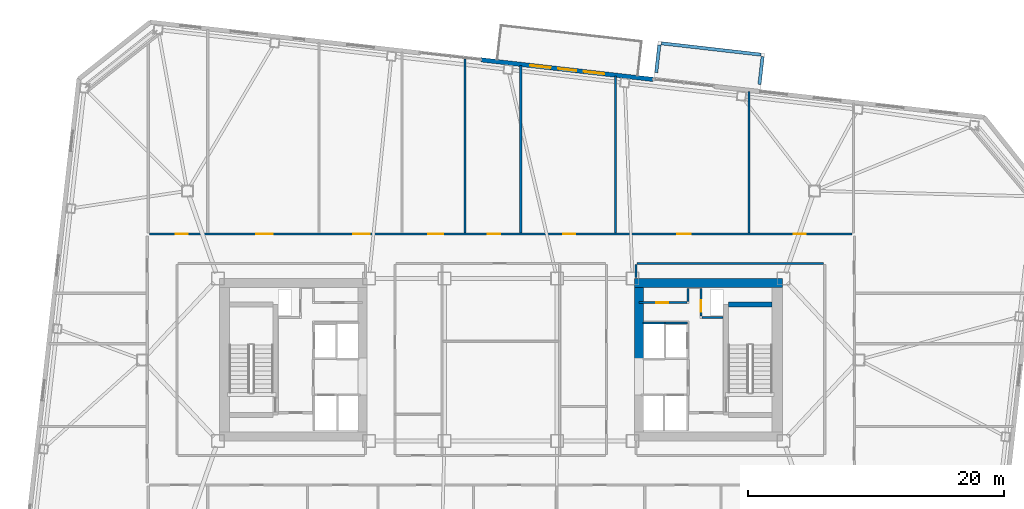
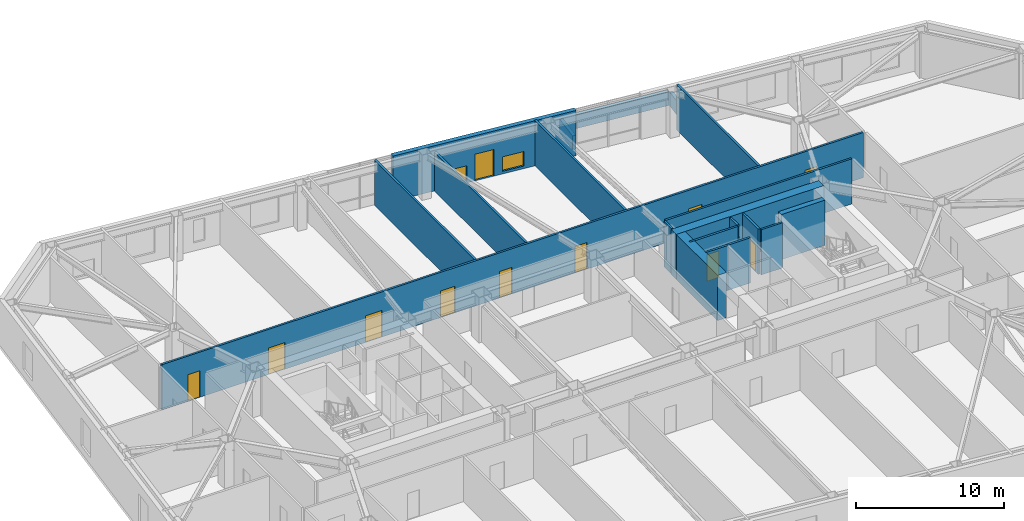
# One storey, part 14 of 21: 20 walls, 11 doors, 2 windows, 13 openings.
"""IFC4 building model written with IfcOpenShell, lengths in metres."""

from ifc_helpers import new_model, si_unit, direction, frame, frame_2d, origin, place, context, subcontext, project, spatial, rectangle, extrude, material, layer, layer_set, type_object, element, fill, save


model = new_model("IFC4")

# Units and contexts
model_context = context("Model", 3, precision=1e-05, world=origin(), true_north=direction((0.0, 1.0)))
body_context = subcontext(model_context, "Body", "Model", "MODEL_VIEW")
ifc_project = project(units=[si_unit("LENGTHUNIT", "METRE"), si_unit("AREAUNIT", "SQUARE_METRE"), si_unit("VOLUMEUNIT", "CUBIC_METRE"), si_unit("PLANEANGLEUNIT", "RADIAN"), si_unit("MASSUNIT", "GRAM", prefix="KILO")], contexts=[model_context])

# Site, building, storey
site_placement = place(None, origin())
site = spatial("IfcSite", under=ifc_project, at=site_placement, CompositionType="ELEMENT")
building_placement = place(site_placement, origin())
building = spatial("IfcBuilding", under=site, at=building_placement, Name="Tavrogorsk Clinical Tower", CompositionType="ELEMENT")
storey_placement = place(building_placement, frame((0.0, 0.0, 125.39990234375)))
storey = spatial("IfcBuildingStorey", under=building, at=storey_placement, Name="L28", CompositionType="ELEMENT", Elevation=125.39990234375)

# Wall, opening, door
ifc_material_1 = material(Name="Lightweight concrete blockwork B15", Category="masonry")
ifc_layer_1 = layer(ifc_material_1, 0.159912109375)
ifc_layer_set_1 = layer_set([ifc_layer_1], Name="Lightweight concrete blockwork B15")
wall_type_1 = type_object("IfcWallType", Name="PartitionWall_160", PredefinedType="PARTITIONING", material=ifc_layer_set_1)
wall_1_placement = place(storey_placement, frame((10.800048828125, 4.4599609375, 0.0), z_axis=(0.0, 0.0, 1.0), x_axis=(1.0, 0.0, 0.0)))
wall_1 = element("IfcWall", 1, at=wall_1_placement, inside=storey, type_object=wall_type_1, Name="L28 Core East Pneumatic Dispatch South Wall", PredefinedType="PARTITIONING", context=body_context, shape_type="SweptSolid", body=[
    extrude(rectangle(XDim=3.7548828125, YDim=0.159912109375, at=frame_2d((1.87744140625, 0.0))), origin(), (0.0, 0.0, 1.0), 3.739990234375),
])
opening_1_placement = place(wall_1_placement, frame((1.35009765625, 0.0, 0.0)))
opening_1 = element("IfcOpeningElement", 2, at=opening_1_placement, cuts=wall_1, Name="Opening ID-02", PredefinedType="OPENING", context=body_context, shape_type="SweptSolid", body=[
    extrude(rectangle(XDim=0.949951171875, YDim=2.199951171875, at=frame_2d((0.47509765625, 1.10009765625))), frame((0.0, 0.08984375, 0.0), z_axis=(0.0, -1.0, 0.0), x_axis=(1.0, 0.0, 0.0)), (0.0, 0.0, 1.0), 0.179931640625),
])
ifc_material_2 = material(Name="Laminated timber leaf on aluminium frame", Category="wood")
door_type_1 = type_object("IfcDoorType", Name="InteriorDoor_ID02_950", OperationType="NOTDEFINED", PredefinedType="DOOR", material=ifc_material_2)
door_1_placement = place(opening_1_placement, origin())
door_1 = element("IfcDoor", 3, at=door_1_placement, inside=storey, type_object=door_type_1, Name="L28 Core East Pneumatic Dispatch Door", OperationType="SINGLE_SWING_LEFT", OverallHeight=2.199951171875, OverallWidth=0.949951171875, PredefinedType="DOOR", context=body_context, shape_type="SweptSolid", body=[
    extrude(rectangle(XDim=0.949951171875, YDim=2.199951171875, at=frame_2d((0.47509765625, 1.10009765625))), frame((0.0, 0.02490234375, 0.0), z_axis=(0.0, -1.0, 0.0), x_axis=(1.0, 0.0, 0.0)), (0.0, 0.0, 1.0), 0.050048828125),
])
fill(opening_1, door_1)

# Wall
wall_2_placement = place(storey_placement, frame((14.639892578125, 4.544921875, 0.0), z_axis=(0.0, 0.0, 1.0), x_axis=(0.0, 1.0, 0.0)))
element("IfcWall", 4, at=wall_2_placement, inside=storey, type_object=wall_type_1, Name="L28 Core East Pneumatic Dispatch East Wall", PredefinedType="PARTITIONING", context=body_context, shape_type="SweptSolid", body=[
    extrude(rectangle(XDim=1.01513671875, YDim=0.159912109375, at=frame_2d((0.507568359375, 0.0))), origin(), (0.0, 0.0, 1.0), 3.739990234375),
])

# Wall, openings, doors
wall_3_placement = place(storey_placement, frame((-27.465087890625, 9.830078125, 0.0), z_axis=(0.0, 0.0, 1.0), x_axis=(1.0, 0.0, 0.0)))
wall_3 = element("IfcWall", 5, at=wall_3_placement, inside=storey, type_object=wall_type_1, Name="L28 Corridor Partition 02", PredefinedType="PARTITIONING", context=body_context, shape_type="SweptSolid", body=[
    extrude(rectangle(XDim=54.93017578125, YDim=0.159912109375, at=frame_2d((27.465087890625, 0.0))), origin(), (0.0, 0.0, 1.0), 3.739990234375),
])
opening_2_placement = place(wall_3_placement, frame((2.044189453125, 0.0, 0.0)))
opening_2 = element("IfcOpeningElement", 6, at=opening_2_placement, cuts=wall_3, Name="Opening ID-02", PredefinedType="OPENING", context=body_context, shape_type="SweptSolid", body=[
    extrude(rectangle(XDim=0.949951171875, YDim=2.199951171875, at=frame_2d((0.47509765625, 1.10009765625))), frame((0.0, 0.08984375, 0.0), z_axis=(0.0, -1.0, 0.0), x_axis=(1.0, 0.0, 0.0)), (0.0, 0.0, 1.0), 0.179931640625),
])
opening_3_placement = place(wall_3_placement, frame((8.35009765625, 0.0, 0.0)))
opening_3 = element("IfcOpeningElement", 7, at=opening_3_placement, cuts=wall_3, Name="Opening ID-01", PredefinedType="OPENING", context=body_context, shape_type="SweptSolid", body=[
    extrude(rectangle(XDim=1.300048828125, YDim=2.199951171875, at=frame_2d((0.64990234375, 1.10009765625))), frame((0.0, 0.08984375, 0.0), z_axis=(0.0, -1.0, 0.0), x_axis=(1.0, 0.0, 0.0)), (0.0, 0.0, 1.0), 0.179931640625),
])
opening_4_placement = place(wall_3_placement, frame((15.93994140625, 0.0, 0.0)))
opening_4 = element("IfcOpeningElement", 8, at=opening_4_placement, cuts=wall_3, Name="Opening ID-01", PredefinedType="OPENING", context=body_context, shape_type="SweptSolid", body=[
    extrude(rectangle(XDim=1.300048828125, YDim=2.199951171875, at=frame_2d((0.64990234375, 1.10009765625))), frame((0.0, 0.08984375, 0.0), z_axis=(0.0, -1.0, 0.0), x_axis=(1.0, 0.0, 0.0)), (0.0, 0.0, 1.0), 0.179931640625),
])
opening_5_placement = place(wall_3_placement, frame((21.81494140625, 0.0, 0.0)))
opening_5 = element("IfcOpeningElement", 9, at=opening_5_placement, cuts=wall_3, Name="Opening ID-06", PredefinedType="OPENING", context=body_context, shape_type="SweptSolid", body=[
    extrude(rectangle(XDim=1.14990234375, YDim=2.199951171875, at=frame_2d((0.574951171875, 1.10009765625))), frame((0.0, 0.08984375, 0.0), z_axis=(0.0, -1.0, 0.0), x_axis=(1.0, 0.0, 0.0)), (0.0, 0.0, 1.0), 0.179931640625),
])
opening_6_placement = place(wall_3_placement, frame((26.455078125, 0.0, 0.0)))
opening_6 = element("IfcOpeningElement", 10, at=opening_6_placement, cuts=wall_3, Name="Opening ID-02", PredefinedType="OPENING", context=body_context, shape_type="SweptSolid", body=[
    extrude(rectangle(XDim=0.949951171875, YDim=2.199951171875, at=frame_2d((0.47509765625, 1.10009765625))), frame((0.0, 0.08984375, 0.0), z_axis=(0.0, -1.0, 0.0), x_axis=(1.0, 0.0, 0.0)), (0.0, 0.0, 1.0), 0.179931640625),
])
opening_7_placement = place(wall_3_placement, frame((32.3349609375, 0.0, 0.0)))
opening_7 = element("IfcOpeningElement", 11, at=opening_7_placement, cuts=wall_3, Name="Opening ID-02", PredefinedType="OPENING", context=body_context, shape_type="SweptSolid", body=[
    extrude(rectangle(XDim=0.949951171875, YDim=2.199951171875, at=frame_2d((0.47509765625, 1.10009765625))), frame((0.0, 0.08984375, 0.0), z_axis=(0.0, -1.0, 0.0), x_axis=(1.0, 0.0, 0.0)), (0.0, 0.0, 1.0), 0.179931640625),
])
opening_8_placement = place(wall_3_placement, frame((41.2548828125, 0.0, 0.0)))
opening_8 = element("IfcOpeningElement", 12, at=opening_8_placement, cuts=wall_3, Name="Opening ID-04", PredefinedType="OPENING", context=body_context, shape_type="SweptSolid", body=[
    extrude(rectangle(XDim=1.050048828125, YDim=2.199951171875, at=frame_2d((0.52490234375, 1.10009765625))), frame((0.0, 0.08984375, 0.0), z_axis=(0.0, -1.0, 0.0), x_axis=(1.0, 0.0, 0.0)), (0.0, 0.0, 1.0), 0.179931640625),
])
opening_9_placement = place(wall_3_placement, frame((50.35595703125, 0.0, 0.0)))
opening_9 = element("IfcOpeningElement", 13, at=opening_9_placement, cuts=wall_3, Name="Opening ID-02", PredefinedType="OPENING", context=body_context, shape_type="SweptSolid", body=[
    extrude(rectangle(XDim=0.949951171875, YDim=2.199951171875, at=frame_2d((0.47509765625, 1.10009765625))), frame((0.0, 0.08984375, 0.0), z_axis=(0.0, -1.0, 0.0), x_axis=(1.0, 0.0, 0.0)), (0.0, 0.0, 1.0), 0.179931640625),
])
ifc_material_3 = material(Name="Antibacterial HPL consultation door on aluminium frame", Category="aluminium")
door_type_2 = type_object("IfcDoorType", Name="ConsultDoor_ID04_1050", OperationType="NOTDEFINED", PredefinedType="DOOR", material=ifc_material_3)
door_2_placement = place(opening_8_placement, origin())
door_2 = element("IfcDoor", 14, at=door_2_placement, inside=storey, type_object=door_type_2, Name="L28 North Clinical Examination Suite 06 Door", OperationType="SINGLE_SWING_LEFT", OverallHeight=2.199951171875, OverallWidth=1.050048828125, PredefinedType="DOOR", context=body_context, shape_type="SweptSolid", body=[
    extrude(rectangle(XDim=1.050048828125, YDim=2.199951171875, at=frame_2d((0.52490234375, 1.10009765625))), frame((0.0, 0.02490234375, 0.0), z_axis=(0.0, -1.0, 0.0), x_axis=(1.0, 0.0, 0.0)), (0.0, 0.0, 1.0), 0.050048828125),
])
fill(opening_8, door_2)
door_3_placement = place(opening_2_placement, origin())
door_3 = element("IfcDoor", 15, at=door_3_placement, inside=storey, type_object=door_type_1, Name="L28 North Patient & Family Quiet Lounge 01 Door", OperationType="SINGLE_SWING_LEFT", OverallHeight=2.199951171875, OverallWidth=0.949951171875, PredefinedType="DOOR", context=body_context, shape_type="SweptSolid", body=[
    extrude(rectangle(XDim=0.949951171875, YDim=2.199951171875, at=frame_2d((0.47509765625, 1.10009765625))), frame((0.0, 0.02490234375, 0.0), z_axis=(0.0, -1.0, 0.0), x_axis=(1.0, 0.0, 0.0)), (0.0, 0.0, 1.0), 0.050048828125),
])
fill(opening_2, door_3)
door_4_placement = place(opening_6_placement, origin())
door_4 = element("IfcDoor", 16, at=door_4_placement, inside=storey, type_object=door_type_1, Name="L28 North Multidisciplinary Case Room 04 Door", OperationType="SINGLE_SWING_LEFT", OverallHeight=2.199951171875, OverallWidth=0.949951171875, PredefinedType="DOOR", context=body_context, shape_type="SweptSolid", body=[
    extrude(rectangle(XDim=0.949951171875, YDim=2.199951171875, at=frame_2d((0.47509765625, 1.10009765625))), frame((0.0, 0.02490234375, 0.0), z_axis=(0.0, -1.0, 0.0), x_axis=(1.0, 0.0, 0.0)), (0.0, 0.0, 1.0), 0.050048828125),
])
fill(opening_6, door_4)
door_5_placement = place(opening_7_placement, origin())
door_5 = element("IfcDoor", 17, at=door_5_placement, inside=storey, type_object=door_type_1, Name="L28 Terrace Recuperation Day Room & Lounge Door", OperationType="SINGLE_SWING_RIGHT", OverallHeight=2.199951171875, OverallWidth=0.949951171875, PredefinedType="DOOR", context=body_context, shape_type="SweptSolid", body=[
    extrude(rectangle(XDim=0.949951171875, YDim=2.199951171875, at=frame_2d((0.47509765625, 1.10009765625))), frame((0.0, 0.02490234375, 0.0), z_axis=(0.0, -1.0, 0.0), x_axis=(1.0, 0.0, 0.0)), (0.0, 0.0, 1.0), 0.050048828125),
])
fill(opening_7, door_5)
door_6_placement = place(opening_9_placement, origin())
door_6 = element("IfcDoor", 18, at=door_6_placement, inside=storey, type_object=door_type_1, Name="L28 North Diagnostic Ultrasound Suite 07 Door", OperationType="SINGLE_SWING_RIGHT", OverallHeight=2.199951171875, OverallWidth=0.949951171875, PredefinedType="DOOR", context=body_context, shape_type="SweptSolid", body=[
    extrude(rectangle(XDim=0.949951171875, YDim=2.199951171875, at=frame_2d((0.47509765625, 1.10009765625))), frame((0.0, 0.02490234375, 0.0), z_axis=(0.0, -1.0, 0.0), x_axis=(1.0, 0.0, 0.0)), (0.0, 0.0, 1.0), 0.050048828125),
])
fill(opening_9, door_6)
ifc_material_4 = material(Name="Antibacterial HPL procedure door on aluminium frame", Category="aluminium")
door_type_3 = type_object("IfcDoorType", Name="LabDoor_ID06_1150", OperationType="NOTDEFINED", PredefinedType="DOOR", material=ifc_material_4)
door_7_placement = place(opening_5_placement, origin())
door_7 = element("IfcDoor", 19, at=door_7_placement, inside=storey, type_object=door_type_3, Name="L28 North Physician Consultation Office 03B Door", OperationType="SINGLE_SWING_RIGHT", OverallHeight=2.199951171875, OverallWidth=1.14990234375, PredefinedType="DOOR", context=body_context, shape_type="SweptSolid", body=[
    extrude(rectangle(XDim=1.14990234375, YDim=2.199951171875, at=frame_2d((0.574951171875, 1.10009765625))), frame((0.0, 0.02490234375, 0.0), z_axis=(0.0, -1.0, 0.0), x_axis=(1.0, 0.0, 0.0)), (0.0, 0.0, 1.0), 0.050048828125),
])
fill(opening_5, door_7)
ifc_material_5 = material(Name="Antibacterial HPL medical leaf on aluminium frame", Category="aluminium")
door_type_4 = type_object("IfcDoorType", Name="WardBedDoor_ID01_1300", OperationType="NOTDEFINED", PredefinedType="DOOR", material=ifc_material_5)
door_8_placement = place(opening_3_placement, origin())
door_8 = element("IfcDoor", 20, at=door_8_placement, inside=storey, type_object=door_type_4, Name="L28 North Acute Isolation Suite 02 Door", OperationType="SINGLE_SWING_RIGHT", OverallHeight=2.199951171875, OverallWidth=1.300048828125, PredefinedType="DOOR", context=body_context, shape_type="SweptSolid", body=[
    extrude(rectangle(XDim=1.300048828125, YDim=2.199951171875, at=frame_2d((0.64990234375, 1.10009765625))), frame((0.0, 0.02490234375, 0.0), z_axis=(0.0, -1.0, 0.0), x_axis=(1.0, 0.0, 0.0)), (0.0, 0.0, 1.0), 0.050048828125),
])
fill(opening_3, door_8)
door_9_placement = place(opening_4_placement, origin())
door_9 = element("IfcDoor", 21, at=door_9_placement, inside=storey, type_object=door_type_4, Name="L28 North Sub-Acute Recovery Ward 03A Door", OperationType="SINGLE_SWING_LEFT", OverallHeight=2.199951171875, OverallWidth=1.300048828125, PredefinedType="DOOR", context=body_context, shape_type="SweptSolid", body=[
    extrude(rectangle(XDim=1.300048828125, YDim=2.199951171875, at=frame_2d((0.64990234375, 1.10009765625))), frame((0.0, 0.02490234375, 0.0), z_axis=(0.0, -1.0, 0.0), x_axis=(1.0, 0.0, 0.0)), (0.0, 0.0, 1.0), 0.050048828125),
])
fill(opening_4, door_9)

# Walls
wall_4_placement = place(storey_placement, frame((25.235107421875, 7.52001953125, 0.0), z_axis=(0.0, 0.0, 1.0), x_axis=(-1.0, 0.0, 0.0)))
element("IfcWall", 22, at=wall_4_placement, inside=storey, type_object=wall_type_1, Name="L28 Corridor Partition 05", PredefinedType="PARTITIONING", context=body_context, shape_type="SweptSolid", body=[
    extrude(rectangle(XDim=14.570068359375, YDim=0.159912109375, at=frame_2d((7.28515625, 0.0))), origin(), (0.0, 0.0, 1.0), 3.739990234375),
])
wall_5_placement = place(storey_placement, frame((10.580078125, 7.43505859375, 0.0), z_axis=(0.0, 0.0, 1.0), x_axis=(0.0, -1.0, 0.0)))
element("IfcWall", 23, at=wall_5_placement, inside=storey, type_object=wall_type_1, Name="L28 Corridor Partition 06", PredefinedType="PARTITIONING", context=body_context, shape_type="SweptSolid", body=[
    extrude(rectangle(XDim=1.01513671875, YDim=0.159912109375, at=frame_2d((0.507568359375, 0.0))), origin(), (0.0, 0.0, 1.0), 3.739990234375),
])
wall_6_placement = place(storey_placement, frame((-2.800048828125, 9.9150390625, 0.0), z_axis=(0.0, 0.0, 1.0), x_axis=(0.0, 1.0, 0.0)))
element("IfcWall", 24, at=wall_6_placement, inside=storey, type_object=wall_type_1, Name="L28 North Room Partition 3", PredefinedType="PARTITIONING", context=body_context, shape_type="SweptSolid", body=[
    extrude(rectangle(XDim=13.596435546875, YDim=0.159912109375, at=frame_2d((6.79833984375, 0.0))), origin(), (0.0, 0.0, 1.0), 3.739990234375),
])
wall_7_placement = place(storey_placement, frame((1.56005859375, 9.9150390625, 0.0), z_axis=(0.0, 0.0, 1.0), x_axis=(0.0, 1.0, 0.0)))
element("IfcWall", 25, at=wall_7_placement, inside=storey, type_object=wall_type_1, Name="L28 North Room Partition 4", PredefinedType="PARTITIONING", context=body_context, shape_type="SweptSolid", body=[
    extrude(rectangle(XDim=13.099609375, YDim=0.159912109375, at=frame_2d((6.5498046875, 0.0))), origin(), (0.0, 0.0, 1.0), 3.235107421875),
])
wall_8_placement = place(storey_placement, frame((8.9599609375, 9.9150390625, 0.0), z_axis=(0.0, 0.0, 1.0), x_axis=(0.0, 1.0, 0.0)))
element("IfcWall", 26, at=wall_8_placement, inside=storey, type_object=wall_type_1, Name="L28 North Room Partition 5", PredefinedType="PARTITIONING", context=body_context, shape_type="SweptSolid", body=[
    extrude(rectangle(XDim=12.25634765625, YDim=0.159912109375, at=frame_2d((6.128173828125, 0.0))), origin(), (0.0, 0.0, 1.0), 3.739990234375),
])
wall_9_placement = place(storey_placement, frame((19.39990234375, 9.9150390625, 0.0), z_axis=(0.0, 0.0, 1.0), x_axis=(0.0, 1.0, 0.0)))
element("IfcWall", 27, at=wall_9_placement, inside=storey, type_object=wall_type_1, Name="L28 North Room Partition 6", PredefinedType="PARTITIONING", context=body_context, shape_type="SweptSolid", body=[
    extrude(rectangle(XDim=11.06689453125, YDim=0.159912109375, at=frame_2d((5.533447265625, 0.0))), origin(), (0.0, 0.0, 1.0), 3.739990234375),
])

# Wall, openings, windows, door
ifc_material_6 = material(Name="Precast concrete B45 with limestone cladding", Category="masonry")
ifc_layer_2 = layer(ifc_material_6, 0.340087890625)
ifc_layer_set_2 = layer_set([ifc_layer_2], Name="Precast concrete B45 with limestone cladding")
wall_type_2 = type_object("IfcWallType", Name="PrecastLimestoneWall_340", PredefinedType="STANDARD", material=ifc_layer_set_2)
wall_10_placement = place(storey_placement, frame((11.921875, 21.904541015625, 0.0), z_axis=(0.0, 0.0, 1.0), x_axis=(-0.993571685551, 0.11320470693, 0.0)))
wall_10 = element("IfcWall", 28, at=wall_10_placement, inside=storey, type_object=wall_type_2, Name="L28 N Limestone Facade Wall 2", PredefinedType="STANDARD", context=body_context, shape_type="SweptSolid", body=[
    extrude(rectangle(XDim=13.554443359375, YDim=0.340087890625, at=frame_2d((6.77734375, 0.0))), origin(), (0.0, 0.0, 1.0), 3.739990234375),
])
opening_10_placement = place(wall_10_placement, frame((6.0771484375, 0.0, 0.0)))
opening_10 = element("IfcOpeningElement", 29, at=opening_10_placement, cuts=wall_10, Name="Opening ED-03", PredefinedType="OPENING", context=body_context, shape_type="SweptSolid", body=[
    extrude(rectangle(XDim=1.39990234375, YDim=2.199951171875, at=frame_2d((0.699951171875, 1.10009765625))), frame((0.0, 0.179931640625, 0.0), z_axis=(0.0, -1.0, 0.0), x_axis=(1.0, 0.0, 0.0)), (0.0, 0.0, 1.0), 0.360107421875),
])
opening_11_placement = place(wall_10_placement, frame((8.087890625, 0.0, 0.219970703125)))
opening_11 = element("IfcOpeningElement", 30, at=opening_11_placement, cuts=wall_10, Name="Opening WN-09", PredefinedType="OPENING", context=body_context, shape_type="SweptSolid", body=[
    extrude(rectangle(XDim=1.60009765625, YDim=1.199951171875, at=frame_2d((0.800048828125, 0.60009765625))), frame((0.0, 0.179931640625, 0.0), z_axis=(0.0, -1.0, 0.0), x_axis=(1.0, 0.0, 0.0)), (0.0, 0.0, 1.0), 0.360107421875),
])
opening_12_placement = place(wall_10_placement, frame((3.866455078125, 0.0, 0.219970703125)))
opening_12 = element("IfcOpeningElement", 31, at=opening_12_placement, cuts=wall_10, Name="Opening WN-09", PredefinedType="OPENING", context=body_context, shape_type="SweptSolid", body=[
    extrude(rectangle(XDim=1.60009765625, YDim=1.199951171875, at=frame_2d((0.800048828125, 0.60009765625))), frame((0.0, 0.179931640625, 0.0), z_axis=(0.0, -1.0, 0.0), x_axis=(1.0, 0.0, 0.0)), (0.0, 0.0, 1.0), 0.360107421875),
])
ifc_material_7 = material(Name="Thermally broken aluminium frame and triple IGU", Category="aluminium")
window_type = type_object("IfcWindowType", Name="LowHeadTransWin_1600x1200", PartitioningType="DOUBLE_PANEL_VERTICAL", PredefinedType="WINDOW", material=ifc_material_7)
window_1_placement = place(opening_11_placement, origin())
window_1 = element("IfcWindow", 32, at=window_1_placement, inside=storey, type_object=window_type, Name="L28 N Chicago Window 05", OverallHeight=1.199951171875, OverallWidth=1.60009765625, PartitioningType="SINGLE_PANEL", PredefinedType="WINDOW", context=body_context, shape_type="SweptSolid", body=[
    extrude(rectangle(XDim=1.60009765625, YDim=1.199951171875, at=frame_2d((0.800048828125, 0.60009765625))), frame((0.0, 0.030029296875, 0.0), z_axis=(0.0, -1.0, 0.0), x_axis=(1.0, 0.0, 0.0)), (0.0, 0.0, 1.0), 0.06005859375),
])
fill(opening_11, window_1)
window_2_placement = place(opening_12_placement, origin())
window_2 = element("IfcWindow", 33, at=window_2_placement, inside=storey, type_object=window_type, Name="L28 N Chicago Window 06", OverallHeight=1.199951171875, OverallWidth=1.60009765625, PartitioningType="SINGLE_PANEL", PredefinedType="WINDOW", context=body_context, shape_type="SweptSolid", body=[
    extrude(rectangle(XDim=1.60009765625, YDim=1.199951171875, at=frame_2d((0.800048828125, 0.60009765625))), frame((0.0, 0.030029296875, 0.0), z_axis=(0.0, -1.0, 0.0), x_axis=(1.0, 0.0, 0.0)), (0.0, 0.0, 1.0), 0.06005859375),
])
fill(opening_12, window_2)
ifc_material_8 = material(Name="Thermally broken aluminium and laminated safety glass", Category="aluminium")
door_type_5 = type_object("IfcDoorType", Name="TerraceGlassDoor_ED03_1400", OperationType="DOUBLE_SWING_LEFT", PredefinedType="DOOR", material=ifc_material_8)
door_10_placement = place(opening_10_placement, origin())
door_10 = element("IfcDoor", 34, at=door_10_placement, inside=storey, type_object=door_type_5, Name="L28 Spiralling Recuperation Terrace Door ED-03", OperationType="DOUBLE_SWING_LEFT", OverallHeight=2.199951171875, OverallWidth=1.39990234375, PredefinedType="DOOR", context=body_context, shape_type="SweptSolid", body=[
    extrude(rectangle(XDim=1.39990234375, YDim=2.199951171875, at=frame_2d((0.699951171875, 1.10009765625))), frame((0.0, 0.02490234375, 0.0), z_axis=(0.0, -1.0, 0.0), x_axis=(1.0, 0.0, 0.0)), (0.0, 0.0, 1.0), 0.050048828125),
])
fill(opening_10, door_10)

# Walls
ifc_material_9 = material(Name="Concrete B60", Category="concrete")
ifc_layer_3 = layer(ifc_material_9, 0.25)
ifc_layer_set_3 = layer_set([ifc_layer_3], Name="Concrete B60")
wall_type_3 = type_object("IfcWallType", Name="RoofParapetWall_250", PredefinedType="PARAPET", material=ifc_layer_set_3)
wall_11_placement = place(storey_placement, frame((12.14697265625, 22.4423828125, 0.0), z_axis=(0.0, 0.0, 1.0), x_axis=(0.113221265394, 0.993569798787, 0.0)))
element("IfcWall", 35, at=wall_11_placement, inside=storey, type_object=wall_type_3, Name="L28 Day-Room Roof Coping Parapet DRB-04-1", PredefinedType="PARAPET", context=body_context, shape_type="SweptSolid", body=[
    extrude(rectangle(XDim=2.179931640625, YDim=0.25, at=frame_2d((1.08984375, 0.0))), origin(), (0.0, 0.0, 1.0), 1.150146484375),
])
wall_12_placement = place(storey_placement, frame((12.548583984375, 24.731689453125, 0.0), z_axis=(0.0, 0.0, 1.0), x_axis=(0.993573058551, -0.113192655776, 0.0)))
element("IfcWall", 36, at=wall_12_placement, inside=storey, type_object=wall_type_3, Name="L28 Day-Room Roof Coping Parapet DRB-04-2", PredefinedType="PARAPET", context=body_context, shape_type="SweptSolid", body=[
    extrude(rectangle(XDim=7.840087890625, YDim=0.25, at=frame_2d((3.919921875, 0.0))), origin(), (0.0, 0.0, 1.0), 1.150146484375),
])
wall_13_placement = place(storey_placement, frame((20.461669921875, 23.689208984375, 0.0), z_axis=(0.0, 0.0, 1.0), x_axis=(-0.113221265394, -0.993569798787, 0.0)))
element("IfcWall", 37, at=wall_13_placement, inside=storey, type_object=wall_type_3, Name="L28 Day-Room Roof Coping Parapet DRB-04-3", PredefinedType="PARAPET", context=body_context, shape_type="SweptSolid", body=[
    extrude(rectangle(XDim=2.179931640625, YDim=0.25, at=frame_2d((1.08984375, 0.0))), origin(), (0.0, 0.0, 1.0), 1.150146484375),
])
ifc_material_10 = material(Name="Lightweight concrete blockwork B25", Category="masonry")
ifc_layer_4 = layer(ifc_material_10, 0.159912109375)
ifc_layer_set_4 = layer_set([ifc_layer_4], Name="Lightweight concrete blockwork B25")
wall_type_4 = type_object("IfcWallType", Name="ShaftWall_160", PredefinedType="PARTITIONING", material=ifc_layer_set_4)
wall_14_placement = place(storey_placement, frame((12.840087890625, 2.8798828125, 0.0), z_axis=(0.0, 0.0, 1.0), x_axis=(1.0, 0.0, 0.0)))
element("IfcWall", 38, at=wall_14_placement, inside=storey, type_object=wall_type_4, Name="L28 FFL-E Shaft North Wall", PredefinedType="PARTITIONING", context=body_context, shape_type="SweptSolid", body=[
    extrude(rectangle(XDim=1.760009765625, YDim=0.159912109375, at=frame_2d((0.8798828125, 0.0))), origin(), (0.0, 0.0, 1.0), 3.739990234375),
])
wall_15_placement = place(storey_placement, frame((11.10009765625, 2.860107421875, 0.0), z_axis=(0.0, 0.0, 1.0), x_axis=(1.0, 0.0, 0.0)))
element("IfcWall", 39, at=wall_15_placement, inside=storey, type_object=wall_type_4, Name="L28 LP-H2 High-Zone Lift Rear Wall", PredefinedType="PARTITIONING", context=body_context, shape_type="SweptSolid", body=[
    extrude(rectangle(XDim=1.719970703125, YDim=0.159912109375, at=frame_2d((0.85986328125, 0.0))), origin(), (0.0, 0.0, 1.0), 3.739990234375),
])

# Wall, opening, door
wall_16_placement = place(storey_placement, frame((15.639892578125, 3.405029296875, 0.0), z_axis=(0.0, 0.0, 1.0), x_axis=(0.0, 1.0, 0.0)))
wall_16 = element("IfcWall", 40, at=wall_16_placement, inside=storey, type_object=wall_type_4, Name="L28 Core East Riser West Wall", PredefinedType="PARTITIONING", context=body_context, shape_type="SweptSolid", body=[
    extrude(rectangle(XDim=2.155029296875, YDim=0.159912109375, at=frame_2d((1.07763671875, 0.0))), origin(), (0.0, 0.0, 1.0), 3.739990234375),
])
opening_13_placement = place(wall_16_placement, frame((0.35009765625, 0.0, 0.0)))
opening_13 = element("IfcOpeningElement", 41, at=opening_13_placement, cuts=wall_16, Name="Opening FD-02", PredefinedType="OPENING", context=body_context, shape_type="SweptSolid", body=[
    extrude(rectangle(XDim=0.89990234375, YDim=2.199951171875, at=frame_2d((0.449951171875, 1.10009765625))), frame((0.0, 0.08984375, 0.0), z_axis=(0.0, -1.0, 0.0), x_axis=(1.0, 0.0, 0.0)), (0.0, 0.0, 1.0), 0.179931640625),
])
ifc_material_11 = material(Name="Galvanised steel fire-rated door assembly", Category="steel")
door_type_6 = type_object("IfcDoorType", Name="FireDoor_FD02_900", OperationType="NOTDEFINED", PredefinedType="DOOR", material=ifc_material_11)
door_11_placement = place(opening_13_placement, origin())
door_11 = element("IfcDoor", 42, at=door_11_placement, inside=storey, type_object=door_type_6, Name="L28 Core East Electrical Riser Access Door", OperationType="SINGLE_SWING_LEFT", OverallHeight=2.199951171875, OverallWidth=0.89990234375, PredefinedType="DOOR", context=body_context, shape_type="SweptSolid", body=[
    extrude(rectangle(XDim=0.89990234375, YDim=2.199951171875, at=frame_2d((0.449951171875, 1.10009765625))), frame((0.0, 0.02490234375, 0.0), z_axis=(0.0, -1.0, 0.0), x_axis=(1.0, 0.0, 0.0)), (0.0, 0.0, 1.0), 0.050048828125),
])
fill(opening_13, door_11)

# Walls
wall_17_placement = place(storey_placement, frame((15.72509765625, 3.320068359375, 0.0), z_axis=(0.0, 0.0, 1.0), x_axis=(1.0, 0.0, 0.0)))
element("IfcWall", 43, at=wall_17_placement, inside=storey, type_object=wall_type_4, Name="L28 Core East Riser South Wall", PredefinedType="PARTITIONING", context=body_context, shape_type="SweptSolid", body=[
    extrude(rectangle(XDim=1.65478515625, YDim=0.159912109375, at=frame_2d((0.827392578125, 0.0))), origin(), (0.0, 0.0, 1.0), 3.739990234375),
])
ifc_material_12 = material(Name="Concrete B80", Category="concrete")
ifc_layer_5 = layer(ifc_material_12, 0.39990234375)
ifc_layer_set_5 = layer_set([ifc_layer_5], Name="Concrete B80")
wall_type_5 = type_object("IfcWallType", Name="ShearWall_400", PredefinedType="SHEAR", material=ifc_layer_set_5)
wall_18_placement = place(storey_placement, frame((17.800048828125, 4.324951171875, 0.0), z_axis=(0.0, 0.0, 1.0), x_axis=(1.0, 0.0, 0.0)))
element("IfcWall", 44, at=wall_18_placement, inside=storey, type_object=wall_type_5, Name="L28 Core East Stair Shaft North Shear Wall", PredefinedType="SHEAR", context=body_context, shape_type="SweptSolid", body=[
    extrude(rectangle(XDim=3.39990234375, YDim=0.39990234375, at=frame_2d((1.699951171875, 0.0))), origin(), (0.0, 0.0, 1.0), 3.739990234375),
])
ifc_material_13 = material(Name="Concrete B80", Category="concrete")
ifc_layer_6 = layer(ifc_material_13, 0.699951171875)
ifc_layer_set_6 = layer_set([ifc_layer_6], Name="Concrete B80")
wall_type_6 = type_object("IfcWallType", Name="ShearWall_700", PredefinedType="SHEAR", material=ifc_layer_set_6)
wall_19_placement = place(storey_placement, frame((10.449951171875, 6.0, 0.0), z_axis=(0.0, 0.0, 1.0), x_axis=(1.0, 0.0, 0.0)))
element("IfcWall", 45, at=wall_19_placement, inside=storey, type_object=wall_type_6, Name="L28 Core East North Shear Wall", PredefinedType="SHEAR", context=body_context, shape_type="SweptSolid", body=[
    extrude(rectangle(XDim=11.550048828125, YDim=0.699951171875, at=frame_2d((5.77490234375, 0.0))), origin(), (0.0, 0.0, 1.0), 3.739990234375),
])
wall_20_placement = place(storey_placement, frame((10.800048828125, 0.050048828125, 0.0), z_axis=(0.0, 0.0, 1.0), x_axis=(0.0, 1.0, 0.0)))
element("IfcWall", 46, at=wall_20_placement, inside=storey, type_object=wall_type_6, Name="L28 Core East Inner North Pier", PredefinedType="SHEAR", context=body_context, shape_type="SweptSolid", body=[
    extrude(rectangle(XDim=5.599853515625, YDim=0.699951171875, at=frame_2d((2.7998046875, 0.0))), origin(), (0.0, 0.0, 1.0), 3.739990234375),
])

save(model, "model.ifc")
